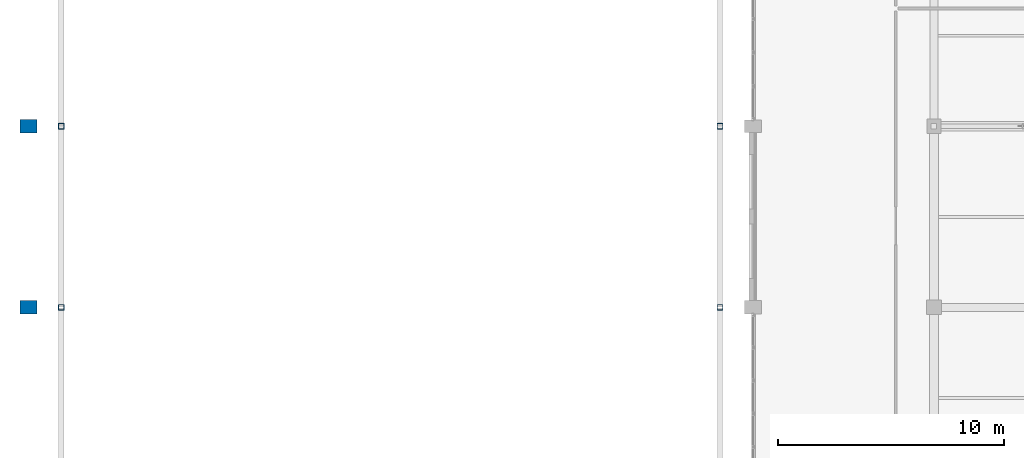
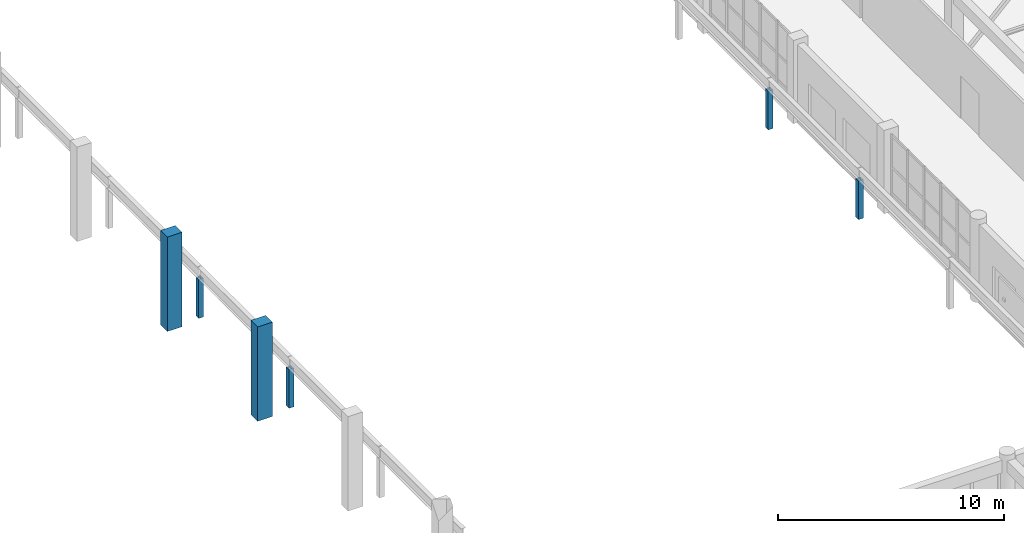
# One storey, part 6 of 160: 6 columns.
"""IFC4 building model written with IfcOpenShell, lengths in metres."""

from ifc_helpers import new_model, si_unit, direction, frame, origin, origin_2d, place, context, subcontext, project, spatial, rectangle, hollow_rectangle, extrude, material, material_profile, profile_set, type_object, element, save


model = new_model("IFC4")

# Units and contexts
model_context = context("Model", 3, precision=1e-05, world=origin(), true_north=direction((0.0, 1.0)))
body_context = subcontext(model_context, "Body", "Model", "MODEL_VIEW")
ifc_project = project(units=[si_unit("LENGTHUNIT", "METRE"), si_unit("AREAUNIT", "SQUARE_METRE"), si_unit("VOLUMEUNIT", "CUBIC_METRE"), si_unit("PLANEANGLEUNIT", "RADIAN"), si_unit("MASSUNIT", "GRAM", prefix="KILO")], contexts=[model_context])

# Site, building, storey
site_placement = place(None, origin())
site = spatial("IfcSite", under=ifc_project, at=site_placement, CompositionType="ELEMENT")
building_placement = place(site_placement, origin())
building = spatial("IfcBuilding", under=site, at=building_placement, Name="Kharva Crest Polytechnic", CompositionType="ELEMENT")
storey_placement = place(building_placement, frame((0.0, 0.0, 4.5)))
storey = spatial("IfcBuildingStorey", under=building, at=storey_placement, Name="L01", CompositionType="ELEMENT", Elevation=4.5)

# Columns
ifc_material_1 = material(Name="Concrete C40/50", Category="concrete")
ifc_material_profile_1 = material_profile(ifc_material_1, rectangle(XDim=0.75, YDim=0.60009765625, at=origin_2d()), Name="RECT 750 X 600")
ifc_profile_set_1 = profile_set([ifc_material_profile_1], Name="Concrete C40/50")
column_type_1 = type_object("IfcColumnType", Name="COL-EXT-750X600", PredefinedType="COLUMN", material=ifc_profile_set_1)
for number, where, z_axis, x_axis, name in (
    (1, (0.0, 54.800048828125, 0.0), (0.0, 0.0, 1.0), (1.0, 0.0, 0.0), "L01 Column 1/H"),
    (2, (0.0, 62.800048828125, 0.0), (0.0, 0.0, 1.0), (1.0, 0.0, 0.0), "L01 Column 1/J"),
):
    element("IfcColumn", number, at=place(storey_placement, frame(where, z_axis=z_axis, x_axis=x_axis)), inside=storey, type_object=column_type_1, Name=name, PredefinedType="COLUMN", context=body_context, shape_type="SweptSolid", body=[
        extrude(rectangle(XDim=0.75, YDim=0.60009765625, at=origin_2d()), origin(), (0.0, 0.0, 1.0), 5.10009765625),
    ])
ifc_material_2 = material(Name="Steel S355", Category="steel")
ifc_material_profile_2 = material_profile(ifc_material_2, hollow_rectangle(XDim=0.25, YDim=0.25, WallThickness=0.010009765625, at=origin_2d()), Name="RHS 250X250X10.0")
ifc_profile_set_2 = profile_set([ifc_material_profile_2], Name="Steel S355")
column_type_2 = type_object("IfcColumnType", Name="COL-STL-RHS250", PredefinedType="COLUMN", material=ifc_profile_set_2)
for number, where, z_axis, x_axis, name in (
    (3, (1.449951171875, 54.800048828125, 0.0), (0.0, 0.0, 1.0), (1.0, 0.0, 0.0), "L01 Crane Upper Column W3"),
    (4, (1.449951171875, 62.800048828125, 0.0), (0.0, 0.0, 1.0), (1.0, 0.0, 0.0), "L01 Crane Upper Column W4"),
    (5, (30.550048828125, 54.800048828125, 0.0), (0.0, 0.0, 1.0), (1.0, 0.0, 0.0), "L01 Crane Upper Column E3"),
    (6, (30.550048828125, 62.800048828125, 0.0), (0.0, 0.0, 1.0), (1.0, 0.0, 0.0), "L01 Crane Upper Column E4"),
):
    element("IfcColumn", number, at=place(storey_placement, frame(where, z_axis=z_axis, x_axis=x_axis)), inside=storey, type_object=column_type_2, Name=name, PredefinedType="COLUMN", context=body_context, shape_type="SweptSolid", body=[
        extrude(hollow_rectangle(XDim=0.25, YDim=0.25, WallThickness=0.010009765625, at=origin_2d()), origin(), (0.0, 0.0, 1.0), 2.087890625),
    ])

save(model, "model.ifc")
